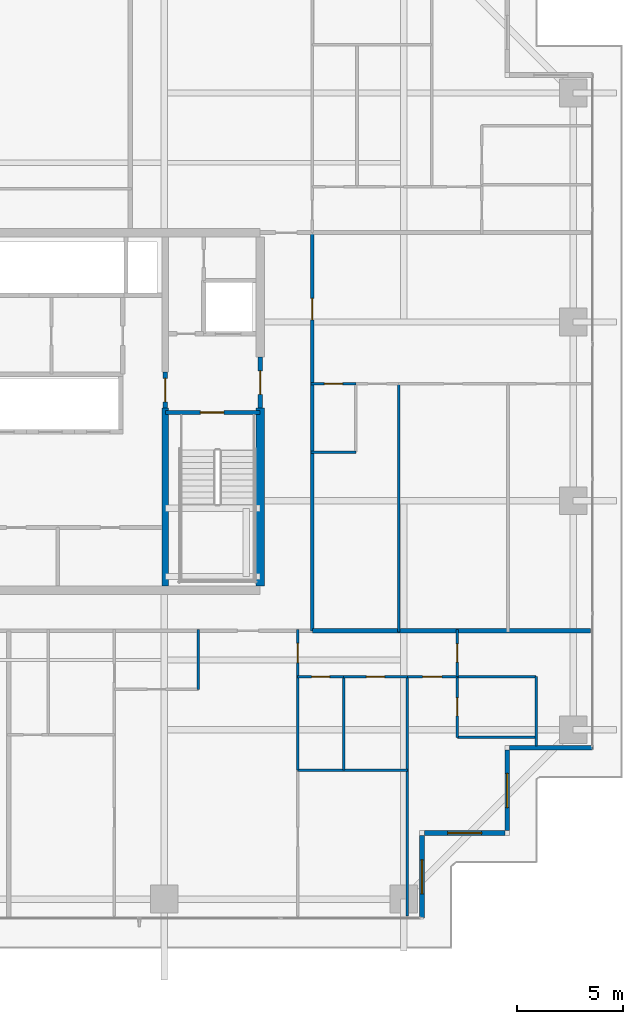
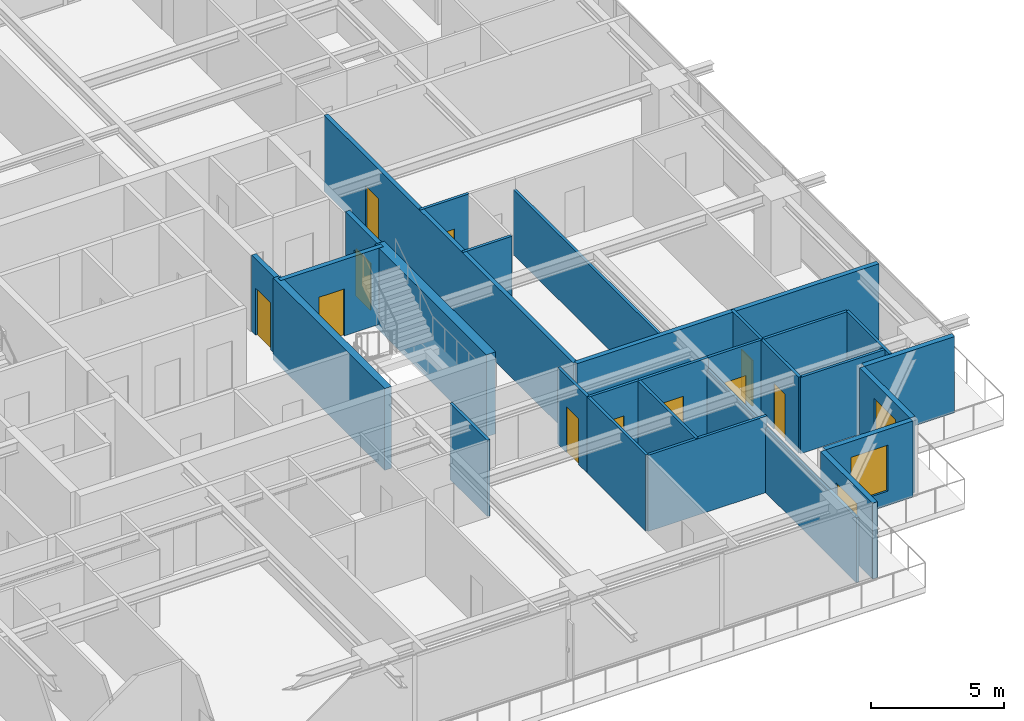
# One storey, part 29 of 39: 28 walls, 11 doors, 3 windows, 14 openings.
"""IFC4 building model written with IfcOpenShell, lengths in metres."""

from ifc_helpers import new_model, si_unit, direction, frame, frame_2d, origin, place, context, subcontext, project, spatial, rectangle, extrude, source, transform, mapped, material, layer, layer_set, type_object, element, fill, save


model = new_model("IFC4")

# Units and contexts
model_context = context("Model", 3, precision=1e-05, world=origin(), true_north=direction((0.0, 1.0)))
body_context = subcontext(model_context, "Body", "Model", "MODEL_VIEW")
ifc_project = project(units=[si_unit("LENGTHUNIT", "METRE"), si_unit("AREAUNIT", "SQUARE_METRE"), si_unit("VOLUMEUNIT", "CUBIC_METRE"), si_unit("PLANEANGLEUNIT", "RADIAN"), si_unit("MASSUNIT", "GRAM", prefix="KILO")], contexts=[model_context])

# Site, building, storey
site_placement = place(None, origin())
site = spatial("IfcSite", under=ifc_project, at=site_placement, CompositionType="ELEMENT")
building_placement = place(site_placement, origin())
building = spatial("IfcBuilding", under=site, at=building_placement, Name="Serunith Strait Residences", CompositionType="ELEMENT")
storey_placement = place(building_placement, frame((0.0, 0.0, 168.89990234375)))
storey = spatial("IfcBuildingStorey", under=building, at=storey_placement, Name="L42", CompositionType="ELEMENT", Elevation=168.89990234375)

# Wall, opening, window
ifc_material_1 = material(Name="Pale-Champagne Aluminium Insulated Panel", Category="aluminium")
ifc_layer_1 = layer(ifc_material_1, 0.219970703125, Name="Pale-Champagne Aluminium Insulated Panel")
ifc_layer_set_1 = layer_set([ifc_layer_1], Name="Pale-Champagne Aluminium Insulated Panel")
wall_type_1 = type_object("IfcWallType", Name="EW-ALUM-220", PredefinedType="ELEMENTEDWALL", material=ifc_layer_set_1)
wall_1_placement = place(storey_placement, frame((49.0, 1.39990234375, 0.0), z_axis=(0.0, 0.0, 1.0), x_axis=(0.0, 1.0, 0.0)))
wall_1 = element("IfcWall", 1, at=wall_1_placement, inside=storey, type_object=wall_type_1, Name="L42 Girih Serrated Corner Wall 02", PredefinedType="ELEMENTEDWALL", context=body_context, shape_type="SweptSolid", body=[
    extrude(rectangle(XDim=3.89013671875, YDim=0.219970703125, at=frame_2d((1.945068359375, 0.0))), origin(), (0.0, 0.0, 1.0), 3.47509765625),
])
opening_1_placement = place(wall_1_placement, frame((1.14501953125, 0.0, 0.64990234375)))
opening_1 = element("IfcOpeningElement", 2, at=opening_1_placement, cuts=wall_1, Name="Opening W-02", PredefinedType="OPENING", context=body_context, shape_type="SweptSolid", body=[
    extrude(rectangle(XDim=1.60009765625, YDim=2.10009765625, at=frame_2d((0.800048828125, 1.050048828125))), frame((0.0, 0.1201171875, 0.0), z_axis=(0.0, -1.0, 0.0), x_axis=(1.0, 0.0, 0.0)), (0.0, 0.0, 1.0), 0.239990234375),
])
ifc_material_2 = material(Name="Ceramic-Fritted Operable Aluminium Window Glass", Category="aluminium")
window_type = type_object("IfcWindowType", Name="WIN-C2", PartitioningType="DOUBLE_PANEL_VERTICAL", PredefinedType="WINDOW", material=ifc_material_2)
shared_shape_1 = source(origin(), body_context, "Body", "SweptSolid", [
    extrude(rectangle(XDim=1.60009765625, YDim=2.10009765625, at=frame_2d((0.800048828125, 1.050048828125))), frame((0.0, 0.030029296875, 0.0), z_axis=(0.0, -1.0, 0.0), x_axis=(1.0, 0.0, 0.0)), (0.0, 0.0, 1.0), 0.06005859375),
])
window_1_placement = place(opening_1_placement, origin())
window_1 = element("IfcWindow", 3, at=window_1_placement, inside=storey, type_object=window_type, Name="L42 Corner Operable Fritted Window 02", OverallHeight=2.10009765625, OverallWidth=1.60009765625, PartitioningType="SINGLE_PANEL", PredefinedType="WINDOW", context=body_context, shape_type="MappedRepresentation", body=[
    mapped(shared_shape_1, transform((0.0, 0.0, 0.0), scale=1.0)),
])
fill(opening_1, window_1)

wall_2_placement = place(storey_placement, frame((49.110107421875, 5.39990234375, 0.0), z_axis=(0.0, 0.0, 1.0), x_axis=(1.0, 0.0, 0.0)))
wall_2 = element("IfcWall", 4, at=wall_2_placement, inside=storey, type_object=wall_type_1, Name="L42 Girih Serrated Corner Wall 03", PredefinedType="ELEMENTEDWALL", context=body_context, shape_type="SweptSolid", body=[
    extrude(rectangle(XDim=3.77978515625, YDim=0.219970703125, at=frame_2d((1.889892578125, 0.0))), origin(), (0.0, 0.0, 1.0), 3.47509765625),
])
opening_2_placement = place(wall_2_placement, frame((1.090087890625, 0.0, 0.64990234375)))
opening_2 = element("IfcOpeningElement", 5, at=opening_2_placement, cuts=wall_2, Name="Opening W-02", PredefinedType="OPENING", context=body_context, shape_type="SweptSolid", body=[
    extrude(rectangle(XDim=1.60009765625, YDim=2.10009765625, at=frame_2d((0.800048828125, 1.050048828125))), frame((0.0, 0.1201171875, 0.0), z_axis=(0.0, -1.0, 0.0), x_axis=(1.0, 0.0, 0.0)), (0.0, 0.0, 1.0), 0.239990234375),
])
window_2_placement = place(opening_2_placement, origin())
window_2 = element("IfcWindow", 6, at=window_2_placement, inside=storey, type_object=window_type, Name="L42 Corner Operable Fritted Window 03", OverallHeight=2.10009765625, OverallWidth=1.60009765625, PartitioningType="SINGLE_PANEL", PredefinedType="WINDOW", context=body_context, shape_type="MappedRepresentation", body=[
    mapped(shared_shape_1, transform((0.0, 0.0, 0.0), scale=1.0)),
])
fill(opening_2, window_2)

wall_3_placement = place(storey_placement, frame((53.0, 5.510009765625, 0.0), z_axis=(0.0, 0.0, 1.0), x_axis=(0.0, 1.0, 0.0)))
wall_3 = element("IfcWall", 7, at=wall_3_placement, inside=storey, type_object=wall_type_1, Name="L42 Girih Serrated Corner Wall 04", PredefinedType="ELEMENTEDWALL", context=body_context, shape_type="SweptSolid", body=[
    extrude(rectangle(XDim=3.780029296875, YDim=0.219970703125, at=frame_2d((1.89013671875, 0.0))), origin(), (0.0, 0.0, 1.0), 3.47509765625),
])
opening_3_placement = place(wall_3_placement, frame((1.090087890625, 0.0, 0.64990234375)))
opening_3 = element("IfcOpeningElement", 8, at=opening_3_placement, cuts=wall_3, Name="Opening W-02", PredefinedType="OPENING", context=body_context, shape_type="SweptSolid", body=[
    extrude(rectangle(XDim=1.60009765625, YDim=2.10009765625, at=frame_2d((0.800048828125, 1.050048828125))), frame((0.0, 0.1201171875, 0.0), z_axis=(0.0, -1.0, 0.0), x_axis=(1.0, 0.0, 0.0)), (0.0, 0.0, 1.0), 0.239990234375),
])
window_3_placement = place(opening_3_placement, origin())
window_3 = element("IfcWindow", 9, at=window_3_placement, inside=storey, type_object=window_type, Name="L42 Corner Operable Fritted Window 04", OverallHeight=2.10009765625, OverallWidth=1.60009765625, PartitioningType="SINGLE_PANEL", PredefinedType="WINDOW", context=body_context, shape_type="MappedRepresentation", body=[
    mapped(shared_shape_1, transform((0.0, 0.0, 0.0), scale=1.0)),
])
fill(opening_3, window_3)

# Wall
wall_4_placement = place(storey_placement, frame((53.110107421875, 9.39990234375, 0.0), z_axis=(0.0, 0.0, 1.0), x_axis=(1.0, 0.0, 0.0)))
element("IfcWall", 10, at=wall_4_placement, inside=storey, type_object=wall_type_1, Name="L42 Girih Serrated Corner Wall 05", PredefinedType="ELEMENTEDWALL", context=body_context, shape_type="SweptSolid", body=[
    extrude(rectangle(XDim=3.889892578125, YDim=0.219970703125, at=frame_2d((1.94482421875, 0.0))), origin(), (0.0, 0.0, 1.0), 3.47509765625),
])

# Wall, opening, door
ifc_material_3 = material(Name="Fire-rated acoustic gypsum partition")
ifc_layer_2 = layer(ifc_material_3, 0.179931640625, Name="Fire-rated acoustic gypsum partition")
ifc_layer_set_2 = layer_set([ifc_layer_2], Name="Fire-rated acoustic gypsum partition")
wall_type_2 = type_object("IfcWallType", Name="IW-CORR-180", PredefinedType="PARTITIONING", material=ifc_layer_set_2)
wall_5_placement = place(storey_placement, frame((43.85009765625, 14.89990234375, 0.0), z_axis=(0.0, 0.0, 1.0), x_axis=(0.0, 1.0, 0.0)))
wall_5 = element("IfcWall", 11, at=wall_5_placement, inside=storey, type_object=wall_type_2, Name="L42 Partition Wall 026", PredefinedType="PARTITIONING", context=body_context, shape_type="SweptSolid", body=[
    extrude(rectangle(XDim=18.7001953125, YDim=0.179931640625, at=frame_2d((9.35009765625, 0.0))), origin(), (0.0, 0.0, 1.0), 3.489990234375),
])
opening_4_placement = place(wall_5_placement, frame((14.60302734375, 0.0, 0.0)))
opening_4 = element("IfcOpeningElement", 12, at=opening_4_placement, cuts=wall_5, Name="Opening D-APT1000", PredefinedType="OPENING", context=body_context, shape_type="SweptSolid", body=[
    extrude(rectangle(XDim=1.0, YDim=2.14990234375, at=frame_2d((0.5, 1.074951171875))), frame((0.0, 0.10009765625, 0.0), z_axis=(0.0, -1.0, 0.0), x_axis=(1.0, 0.0, 0.0)), (0.0, 0.0, 1.0), 0.199951171875),
])
ifc_material_4 = material(Name="Solid timber engineered fire door", Category="wood")
door_type_1 = type_object("IfcDoorType", Name="ID-APT-1000", OperationType="NOTDEFINED", PredefinedType="DOOR", material=ifc_material_4)
shared_shape_2 = source(origin(), body_context, "Body", "SweptSolid", [
    extrude(rectangle(XDim=1.0, YDim=2.14990234375, at=frame_2d((0.5, 1.074951171875))), frame((0.0, 0.02490234375, 0.0), z_axis=(0.0, -1.0, 0.0), x_axis=(1.0, 0.0, 0.0)), (0.0, 0.0, 1.0), 0.050048828125),
])
door_1_placement = place(opening_4_placement, origin())
door_1 = element("IfcDoor", 13, at=door_1_placement, inside=storey, type_object=door_type_1, Name="L42 Unit 06 Entrance Door", OperationType="SINGLE_SWING_LEFT", OverallHeight=2.14990234375, OverallWidth=1.0, PredefinedType="DOOR", context=body_context, shape_type="MappedRepresentation", body=[
    mapped(shared_shape_2, transform((0.0, 0.0, 0.0), scale=1.0)),
])
fill(opening_4, door_1)

# Wall
ifc_material_5 = material(Name="Lightweight steel-stud gypsum partition", Category="steel")
ifc_layer_3 = layer(ifc_material_5, 0.1201171875, Name="Lightweight steel-stud gypsum partition")
ifc_layer_set_3 = layer_set([ifc_layer_3], Name="Lightweight steel-stud gypsum partition")
wall_type_3 = type_object("IfcWallType", Name="IW-PART-120", PredefinedType="PARTITIONING", material=ifc_layer_set_3)
wall_6_placement = place(storey_placement, frame((38.5, 12.14990234375, 0.0), z_axis=(0.0, 0.0, 1.0), x_axis=(0.0, 1.0, 0.0)))
element("IfcWall", 14, at=wall_6_placement, inside=storey, type_object=wall_type_3, Name="L42 Partition Wall 046", PredefinedType="PARTITIONING", context=body_context, shape_type="SweptSolid", body=[
    extrude(rectangle(XDim=2.81005859375, YDim=0.1201171875, at=frame_2d((1.405029296875, 0.0))), origin(), (0.0, 0.0, 1.0), 3.489990234375),
])

# Wall, opening, door
wall_7_placement = place(storey_placement, frame((43.159912109375, 12.75, 0.0), z_axis=(0.0, 0.0, 1.0), x_axis=(0.0, 1.0, 0.0)))
wall_7 = element("IfcWall", 15, at=wall_7_placement, inside=storey, type_object=wall_type_3, Name="L42 Partition Wall 052", PredefinedType="PARTITIONING", context=body_context, shape_type="SweptSolid", body=[
    extrude(rectangle(XDim=2.2099609375, YDim=0.1201171875, at=frame_2d((1.10498046875, 0.0))), origin(), (0.0, 0.0, 1.0), 3.489990234375),
])
opening_5_placement = place(wall_7_placement, frame((0.655029296875, 0.0, 0.0)))
opening_5 = element("IfcOpeningElement", 16, at=opening_5_placement, cuts=wall_7, Name="Opening D-RM900", PredefinedType="OPENING", context=body_context, shape_type="SweptSolid", body=[
    extrude(rectangle(XDim=0.89990234375, YDim=2.10009765625, at=frame_2d((0.449951171875, 1.050048828125))), frame((0.0, 0.070068359375, 0.0), z_axis=(0.0, -1.0, 0.0), x_axis=(1.0, 0.0, 0.0)), (0.0, 0.0, 1.0), 0.14013671875),
])
ifc_material_6 = material(Name="Engineered timber flush bedroom door", Category="wood")
door_type_2 = type_object("IfcDoorType", Name="ID-ROOM-900", OperationType="NOTDEFINED", PredefinedType="DOOR", material=ifc_material_6)
shared_shape_3 = source(origin(), body_context, "Body", "SweptSolid", [
    extrude(rectangle(XDim=0.89990234375, YDim=2.10009765625, at=frame_2d((0.449951171875, 1.050048828125))), frame((0.0, 0.02490234375, 0.0), z_axis=(0.0, -1.0, 0.0), x_axis=(1.0, 0.0, 0.0)), (0.0, 0.0, 1.0), 0.050048828125),
])
door_2_placement = place(opening_5_placement, origin())
door_2 = element("IfcDoor", 17, at=door_2_placement, inside=storey, type_object=door_type_2, Name="L42 Hall E 4202 Door", OperationType="SINGLE_SWING_RIGHT", OverallHeight=2.10009765625, OverallWidth=0.89990234375, PredefinedType="DOOR", context=body_context, shape_type="MappedRepresentation", body=[
    mapped(shared_shape_3, transform((0.0, 0.0, 0.0), scale=1.0)),
])
fill(opening_5, door_2)

# Walls
wall_8_placement = place(storey_placement, frame((43.159912109375, 8.35498046875, 0.0), z_axis=(0.0, 0.0, 1.0), x_axis=(0.0, 1.0, 0.0)))
element("IfcWall", 18, at=wall_8_placement, inside=storey, type_object=wall_type_3, Name="L42 Partition Wall 054", PredefinedType="PARTITIONING", context=body_context, shape_type="SweptSolid", body=[
    extrude(rectangle(XDim=4.39306640625, YDim=0.1201171875, at=frame_2d((2.196533203125, 0.0))), origin(), (0.0, 0.0, 1.0), 3.489990234375),
])
wall_9_placement = place(storey_placement, frame((43.159912109375, 8.35302734375, 0.0), z_axis=(0.0, 0.0, 1.0), x_axis=(1.0, 0.0, 0.0)))
element("IfcWall", 19, at=wall_9_placement, inside=storey, type_object=wall_type_3, Name="L42 Partition Wall 055", PredefinedType="PARTITIONING", context=body_context, shape_type="SweptSolid", body=[
    extrude(rectangle(XDim=5.150146484375, YDim=0.1201171875, at=frame_2d((2.5751953125, 0.0))), origin(), (0.0, 0.0, 1.0), 3.489990234375),
])
wall_10_placement = place(storey_placement, frame((48.31005859375, 1.4951171875, 0.0), z_axis=(0.0, 0.0, 1.0), x_axis=(0.0, 1.0, 0.0)))
element("IfcWall", 20, at=wall_10_placement, inside=storey, type_object=wall_type_3, Name="L42 Partition Wall 056", PredefinedType="PARTITIONING", context=body_context, shape_type="SweptSolid", body=[
    extrude(rectangle(XDim=11.2548828125, YDim=0.1201171875, at=frame_2d((5.62744140625, 0.0))), origin(), (0.0, 0.0, 1.0), 2.97216796875),
])
wall_11_placement = place(storey_placement, frame((45.322998046875, 8.35302734375, 0.0), z_axis=(0.0, 0.0, 1.0), x_axis=(0.0, 1.0, 0.0)))
element("IfcWall", 21, at=wall_11_placement, inside=storey, type_object=wall_type_3, Name="L42 Partition Wall 057", PredefinedType="PARTITIONING", context=body_context, shape_type="SweptSolid", body=[
    extrude(rectangle(XDim=4.39697265625, YDim=0.1201171875, at=frame_2d((2.198486328125, 0.0))), origin(), (0.0, 0.0, 1.0), 3.489990234375),
])

# Wall, opening, door
wall_12_placement = place(storey_placement, frame((43.159912109375, 12.75, 0.0), z_axis=(0.0, 0.0, 1.0), x_axis=(1.0, 0.0, 0.0)))
wall_12 = element("IfcWall", 22, at=wall_12_placement, inside=storey, type_object=wall_type_3, Name="L42 Partition Wall 058", PredefinedType="PARTITIONING", context=body_context, shape_type="SweptSolid", body=[
    extrude(rectangle(XDim=2.1630859375, YDim=0.1201171875, at=frame_2d((1.08154296875, 0.0))), origin(), (0.0, 0.0, 1.0), 3.489990234375),
])
opening_6_placement = place(wall_12_placement, frame((0.656982421875, 0.0, 0.0)))
opening_6 = element("IfcOpeningElement", 23, at=opening_6_placement, cuts=wall_12, Name="Opening D-RM850", PredefinedType="OPENING", context=body_context, shape_type="SweptSolid", body=[
    extrude(rectangle(XDim=0.85009765625, YDim=2.10009765625, at=frame_2d((0.425048828125, 1.050048828125))), frame((0.0, 0.070068359375, 0.0), z_axis=(0.0, -1.0, 0.0), x_axis=(1.0, 0.0, 0.0)), (0.0, 0.0, 1.0), 0.14013671875),
])
ifc_material_7 = material(Name="Engineered timber flush study and kitchen door", Category="wood")
door_type_3 = type_object("IfcDoorType", Name="ID-ROOM-850", OperationType="NOTDEFINED", PredefinedType="DOOR", material=ifc_material_7)
shared_shape_4 = source(origin(), body_context, "Body", "SweptSolid", [
    extrude(rectangle(XDim=0.85009765625, YDim=2.10009765625, at=frame_2d((0.425048828125, 1.050048828125))), frame((0.0, 0.02490234375, 0.0), z_axis=(0.0, -1.0, 0.0), x_axis=(1.0, 0.0, 0.0)), (0.0, 0.0, 1.0), 0.050048828125),
])
door_3_placement = place(opening_6_placement, origin())
door_3 = element("IfcDoor", 24, at=door_3_placement, inside=storey, type_object=door_type_3, Name="L42 Study 4202 Door", OperationType="SINGLE_SWING_RIGHT", OverallHeight=2.10009765625, OverallWidth=0.85009765625, PredefinedType="DOOR", context=body_context, shape_type="MappedRepresentation", body=[
    mapped(shared_shape_4, transform((0.0, 0.0, 0.0), scale=1.0)),
])
fill(opening_6, door_3)

wall_13_placement = place(storey_placement, frame((45.324951171875, 12.75, 0.0), z_axis=(0.0, 0.0, 1.0), x_axis=(1.0, 0.0, 0.0)))
wall_13 = element("IfcWall", 25, at=wall_13_placement, inside=storey, type_object=wall_type_3, Name="L42 Partition Wall 059", PredefinedType="PARTITIONING", context=body_context, shape_type="SweptSolid", body=[
    extrude(rectangle(XDim=2.985107421875, YDim=0.1201171875, at=frame_2d((1.49267578125, 0.0))), origin(), (0.0, 0.0, 1.0), 3.489990234375),
])
opening_7_placement = place(wall_13_placement, frame((1.06689453125, 0.0, 0.0)))
opening_7 = element("IfcOpeningElement", 26, at=opening_7_placement, cuts=wall_13, Name="Opening D-RM850", PredefinedType="OPENING", context=body_context, shape_type="SweptSolid", body=[
    extrude(rectangle(XDim=0.85009765625, YDim=2.10009765625, at=frame_2d((0.425048828125, 1.050048828125))), frame((0.0, 0.070068359375, 0.0), z_axis=(0.0, -1.0, 0.0), x_axis=(1.0, 0.0, 0.0)), (0.0, 0.0, 1.0), 0.14013671875),
])
door_4_placement = place(opening_7_placement, origin())
door_4 = element("IfcDoor", 27, at=door_4_placement, inside=storey, type_object=door_type_3, Name="L42 Formal Dining Room 4202 Door", OperationType="SINGLE_SWING_LEFT", OverallHeight=2.10009765625, OverallWidth=0.85009765625, PredefinedType="DOOR", context=body_context, shape_type="MappedRepresentation", body=[
    mapped(shared_shape_4, transform((0.0, 0.0, 0.0), scale=1.0)),
])
fill(opening_7, door_4)

wall_14_placement = place(storey_placement, frame((48.31201171875, 12.75, 0.0), z_axis=(0.0, 0.0, 1.0), x_axis=(1.0, 0.0, 0.0)))
wall_14 = element("IfcWall", 28, at=wall_14_placement, inside=storey, type_object=wall_type_3, Name="L42 Partition Wall 060", PredefinedType="PARTITIONING", context=body_context, shape_type="SweptSolid", body=[
    extrude(rectangle(XDim=2.347900390625, YDim=0.1201171875, at=frame_2d((1.173828125, 0.0))), origin(), (0.0, 0.0, 1.0), 3.489990234375),
])
opening_8_placement = place(wall_14_placement, frame((0.72412109375, 0.0, 0.0)))
opening_8 = element("IfcOpeningElement", 29, at=opening_8_placement, cuts=wall_14, Name="Opening D-RM900", PredefinedType="OPENING", context=body_context, shape_type="SweptSolid", body=[
    extrude(rectangle(XDim=0.89990234375, YDim=2.10009765625, at=frame_2d((0.449951171875, 1.050048828125))), frame((0.0, 0.070068359375, 0.0), z_axis=(0.0, -1.0, 0.0), x_axis=(1.0, 0.0, 0.0)), (0.0, 0.0, 1.0), 0.14013671875),
])
door_5_placement = place(opening_8_placement, origin())
door_5 = element("IfcDoor", 30, at=door_5_placement, inside=storey, type_object=door_type_2, Name="L42 Master Bedroom E 4202 Door", OperationType="SINGLE_SWING_RIGHT", OverallHeight=2.10009765625, OverallWidth=0.89990234375, PredefinedType="DOOR", context=body_context, shape_type="MappedRepresentation", body=[
    mapped(shared_shape_3, transform((0.0, 0.0, 0.0), scale=1.0)),
])
fill(opening_8, door_5)

# Walls
wall_15_placement = place(storey_placement, frame((50.659912109375, 9.89501953125, 0.0), z_axis=(0.0, 0.0, 1.0), x_axis=(1.0, 0.0, 0.0)))
element("IfcWall", 31, at=wall_15_placement, inside=storey, type_object=wall_type_3, Name="L42 Partition Wall 061", PredefinedType="PARTITIONING", context=body_context, shape_type="SweptSolid", body=[
    extrude(rectangle(XDim=3.7001953125, YDim=0.1201171875, at=frame_2d((1.85009765625, 0.0))), origin(), (0.0, 0.0, 1.0), 3.489990234375),
])
wall_16_placement = place(storey_placement, frame((54.360107421875, 9.4951171875, 0.0), z_axis=(0.0, 0.0, 1.0), x_axis=(0.0, 1.0, 0.0)))
element("IfcWall", 32, at=wall_16_placement, inside=storey, type_object=wall_type_3, Name="L42 Partition Wall 062", PredefinedType="PARTITIONING", context=body_context, shape_type="SweptSolid", body=[
    extrude(rectangle(XDim=3.2548828125, YDim=0.1201171875, at=frame_2d((1.62744140625, 0.0))), origin(), (0.0, 0.0, 1.0), 3.489990234375),
])
wall_17_placement = place(storey_placement, frame((50.662109375, 12.75, 0.0), z_axis=(0.0, 0.0, 1.0), x_axis=(1.0, 0.0, 0.0)))
element("IfcWall", 33, at=wall_17_placement, inside=storey, type_object=wall_type_3, Name="L42 Partition Wall 063", PredefinedType="PARTITIONING", context=body_context, shape_type="SweptSolid", body=[
    extrude(rectangle(XDim=3.697998046875, YDim=0.1201171875, at=frame_2d((1.84912109375, 0.0))), origin(), (0.0, 0.0, 1.0), 3.489990234375),
])

# Wall, opening, door
wall_18_placement = place(storey_placement, frame((50.659912109375, 9.89501953125, 0.0), z_axis=(0.0, 0.0, 1.0), x_axis=(0.0, 1.0, 0.0)))
wall_18 = element("IfcWall", 34, at=wall_18_placement, inside=storey, type_object=wall_type_3, Name="L42 Partition Wall 064", PredefinedType="PARTITIONING", context=body_context, shape_type="SweptSolid", body=[
    extrude(rectangle(XDim=2.85498046875, YDim=0.1201171875, at=frame_2d((1.427490234375, 0.0))), origin(), (0.0, 0.0, 1.0), 3.489990234375),
])
opening_9_placement = place(wall_18_placement, frame((1.0029296875, 0.0, 0.0)))
opening_9 = element("IfcOpeningElement", 35, at=opening_9_placement, cuts=wall_18, Name="Opening D-BTH850", PredefinedType="OPENING", context=body_context, shape_type="SweptSolid", body=[
    extrude(rectangle(XDim=0.85009765625, YDim=2.10009765625, at=frame_2d((0.425048828125, 1.050048828125))), frame((0.0, 0.070068359375, 0.0), z_axis=(0.0, -1.0, 0.0), x_axis=(1.0, 0.0, 0.0)), (0.0, 0.0, 1.0), 0.14013671875),
])
ifc_material_8 = material(Name="Moisture-resistant timber bathroom door", Category="wood")
door_type_4 = type_object("IfcDoorType", Name="ID-BATH-850", OperationType="NOTDEFINED", PredefinedType="DOOR", material=ifc_material_8)
door_6_placement = place(opening_9_placement, origin())
door_6 = element("IfcDoor", 36, at=door_6_placement, inside=storey, type_object=door_type_4, Name="L42 En-suite Bathroom E 4202 Door", OperationType="SINGLE_SWING_LEFT", OverallHeight=2.10009765625, OverallWidth=0.85009765625, PredefinedType="DOOR", context=body_context, shape_type="MappedRepresentation", body=[
    mapped(shared_shape_4, transform((0.0, 0.0, 0.0), scale=1.0)),
])
fill(opening_9, door_6)

wall_19_placement = place(storey_placement, frame((50.659912109375, 12.751953125, 0.0), z_axis=(0.0, 0.0, 1.0), x_axis=(0.0, 1.0, 0.0)))
wall_19 = element("IfcWall", 37, at=wall_19_placement, inside=storey, type_object=wall_type_3, Name="L42 Partition Wall 065", PredefinedType="PARTITIONING", context=body_context, shape_type="SweptSolid", body=[
    extrude(rectangle(XDim=2.2080078125, YDim=0.1201171875, at=frame_2d((1.10400390625, 0.0))), origin(), (0.0, 0.0, 1.0), 3.489990234375),
])
opening_10_placement = place(wall_19_placement, frame((0.678955078125, 0.0, 0.0)))
opening_10 = element("IfcOpeningElement", 38, at=opening_10_placement, cuts=wall_19, Name="Opening D-RM850", PredefinedType="OPENING", context=body_context, shape_type="SweptSolid", body=[
    extrude(rectangle(XDim=0.85009765625, YDim=2.10009765625, at=frame_2d((0.425048828125, 1.050048828125))), frame((0.0, 0.070068359375, 0.0), z_axis=(0.0, -1.0, 0.0), x_axis=(1.0, 0.0, 0.0)), (0.0, 0.0, 1.0), 0.14013671875),
])
door_7_placement = place(opening_10_placement, origin())
door_7 = element("IfcDoor", 39, at=door_7_placement, inside=storey, type_object=door_type_3, Name="L42 Wardrobe E 4202 Door", OperationType="SINGLE_SWING_RIGHT", OverallHeight=2.10009765625, OverallWidth=0.85009765625, PredefinedType="DOOR", context=body_context, shape_type="MappedRepresentation", body=[
    mapped(shared_shape_4, transform((0.0, 0.0, 0.0), scale=1.0)),
])
fill(opening_10, door_7)

# Walls
wall_20_placement = place(storey_placement, frame((47.89990234375, 14.840087890625, 0.0), z_axis=(0.0, 0.0, 1.0), x_axis=(0.0, 1.0, 0.0)))
element("IfcWall", 40, at=wall_20_placement, inside=storey, type_object=wall_type_3, Name="L42 Partition Wall 102", PredefinedType="PARTITIONING", context=body_context, shape_type="SweptSolid", body=[
    extrude(rectangle(XDim=11.64990234375, YDim=0.1201171875, at=frame_2d((5.824951171875, 0.0))), origin(), (0.0, 0.0, 1.0), 2.97216796875),
])
wall_21_placement = place(storey_placement, frame((45.89990234375, 23.2900390625, 0.0), z_axis=(0.0, 0.0, 1.0), x_axis=(-1.0, 0.0, 0.0)))
element("IfcWall", 41, at=wall_21_placement, inside=storey, type_object=wall_type_3, Name="L42 Partition Wall 104", PredefinedType="PARTITIONING", context=body_context, shape_type="SweptSolid", body=[
    extrude(rectangle(XDim=2.10986328125, YDim=0.1201171875, at=frame_2d((1.054931640625, 0.0))), origin(), (0.0, 0.0, 1.0), 3.489990234375),
])

# Wall, opening, door
wall_22_placement = place(storey_placement, frame((45.89794921875, 26.489990234375, 0.0), z_axis=(0.0, 0.0, 1.0), x_axis=(-1.0, 0.0, 0.0)))
wall_22 = element("IfcWall", 42, at=wall_22_placement, inside=storey, type_object=wall_type_3, Name="L42 Partition Wall 107", PredefinedType="PARTITIONING", context=body_context, shape_type="SweptSolid", body=[
    extrude(rectangle(XDim=2.10791015625, YDim=0.1201171875, at=frame_2d((1.053955078125, 0.0))), origin(), (0.0, 0.0, 1.0), 3.489990234375),
])
opening_11_placement = place(wall_22_placement, frame((0.62890625, 0.0, 0.0)))
opening_11 = element("IfcOpeningElement", 43, at=opening_11_placement, cuts=wall_22, Name="Opening D-BTH850", PredefinedType="OPENING", context=body_context, shape_type="SweptSolid", body=[
    extrude(rectangle(XDim=0.85009765625, YDim=2.10009765625, at=frame_2d((0.425048828125, 1.050048828125))), frame((0.0, 0.070068359375, 0.0), z_axis=(0.0, -1.0, 0.0), x_axis=(1.0, 0.0, 0.0)), (0.0, 0.0, 1.0), 0.14013671875),
])
door_8_placement = place(opening_11_placement, origin())
door_8 = element("IfcDoor", 44, at=door_8_placement, inside=storey, type_object=door_type_4, Name="L42 Bathroom 4206 Door", OperationType="SINGLE_SWING_RIGHT", OverallHeight=2.10009765625, OverallWidth=0.85009765625, PredefinedType="DOOR", context=body_context, shape_type="MappedRepresentation", body=[
    mapped(shared_shape_4, transform((0.0, 0.0, 0.0), scale=1.0)),
])
fill(opening_11, door_8)

# Wall
ifc_material_9 = material(Name="Twin-stud acoustic gypsum board partition")
ifc_layer_4 = layer(ifc_material_9, 0.199951171875, Name="Twin-stud acoustic gypsum board partition")
ifc_layer_set_4 = layer_set([ifc_layer_4], Name="Twin-stud acoustic gypsum board partition")
wall_type_4 = type_object("IfcWallType", Name="IW-PARTY-200", PredefinedType="PARTITIONING", material=ifc_layer_set_4)
wall_23_placement = place(storey_placement, frame((43.85009765625, 14.89990234375, 0.0), z_axis=(0.0, 0.0, 1.0), x_axis=(1.0, 0.0, 0.0)))
element("IfcWall", 45, at=wall_23_placement, inside=storey, type_object=wall_type_4, Name="L42 Partition Wall 021", PredefinedType="PARTITIONING", context=body_context, shape_type="SweptSolid", body=[
    extrude(rectangle(XDim=13.06787109375, YDim=0.199951171875, at=frame_2d((6.533935546875, 0.0))), origin(), (0.0, 0.0, 1.0), 3.489990234375),
])

# Wall, opening, door
ifc_material_10 = material(Name="Autoclaved aerated concrete blockwork", Category="masonry")
ifc_layer_5 = layer(ifc_material_10, 0.199951171875, Name="Autoclaved aerated concrete blockwork")
ifc_layer_set_5 = layer_set([ifc_layer_5], Name="Autoclaved aerated concrete blockwork")
wall_type_5 = type_object("IfcWallType", Name="IW-SHAFT-200", PredefinedType="STANDARD", material=ifc_layer_set_5)
wall_24_placement = place(storey_placement, frame((36.949951171875, 25.14990234375, 0.0), z_axis=(0.0, 0.0, 1.0), x_axis=(1.0, 0.0, 0.0)))
wall_24 = element("IfcWall", 46, at=wall_24_placement, inside=storey, type_object=wall_type_5, Name="L42 ST-2 North Shaft Wall", PredefinedType="STANDARD", context=body_context, shape_type="SweptSolid", body=[
    extrude(rectangle(XDim=4.449951171875, YDim=0.199951171875, at=frame_2d((2.22509765625, 0.0))), origin(), (0.0, 0.0, 1.0), 3.489990234375),
])
opening_12_placement = place(wall_24_placement, frame((1.64990234375, 0.0, 0.0)))
opening_12 = element("IfcOpeningElement", 47, at=opening_12_placement, cuts=wall_24, Name="Opening FD-1100", PredefinedType="OPENING", context=body_context, shape_type="SweptSolid", body=[
    extrude(rectangle(XDim=1.10009765625, YDim=2.14990234375, at=frame_2d((0.550048828125, 1.074951171875))), frame((0.0, 0.10986328125, 0.0), z_axis=(0.0, -1.0, 0.0), x_axis=(1.0, 0.0, 0.0)), (0.0, 0.0, 1.0), 0.219970703125),
])
ifc_material_11 = material(Name="Galvanised steel fire door leaf", Category="steel")
door_type_5 = type_object("IfcDoorType", Name="FD-STAIR-1100", OperationType="NOTDEFINED", PredefinedType="DOOR", material=ifc_material_11)
shared_shape_5 = source(origin(), body_context, "Body", "SweptSolid", [
    extrude(rectangle(XDim=1.10009765625, YDim=2.14990234375, at=frame_2d((0.550048828125, 1.074951171875))), frame((0.0, 0.02490234375, 0.0), z_axis=(0.0, -1.0, 0.0), x_axis=(1.0, 0.0, 0.0)), (0.0, 0.0, 1.0), 0.050048828125),
])
door_9_placement = place(opening_12_placement, origin())
door_9 = element("IfcDoor", 48, at=door_9_placement, inside=storey, type_object=door_type_5, Name="L42 ST-2 Escape Stair Door", OperationType="SINGLE_SWING_LEFT", OverallHeight=2.14990234375, OverallWidth=1.10009765625, PredefinedType="DOOR", context=body_context, shape_type="MappedRepresentation", body=[
    mapped(shared_shape_5, transform((0.0, 0.0, 0.0), scale=1.0)),
])
fill(opening_12, door_9)

wall_25_placement = place(storey_placement, frame((41.39990234375, 25.35205078125, 0.0), z_axis=(0.0, 0.0, 1.0), x_axis=(0.0, 1.0, 0.0)))
wall_25 = element("IfcWall", 49, at=wall_25_placement, inside=storey, type_object=wall_type_5, Name="L42 Partition Wall 008", PredefinedType="STANDARD", context=body_context, shape_type="SweptSolid", body=[
    extrude(rectangle(XDim=2.39599609375, YDim=0.199951171875, at=frame_2d((1.197998046875, 0.0))), origin(), (0.0, 0.0, 1.0), 3.489990234375),
])
opening_13_placement = place(wall_25_placement, frame((0.64794921875, 0.0, 0.0)))
opening_13 = element("IfcOpeningElement", 50, at=opening_13_placement, cuts=wall_25, Name="Opening FD-FFL", PredefinedType="OPENING", context=body_context, shape_type="SweptSolid", body=[
    extrude(rectangle(XDim=1.10009765625, YDim=2.14990234375, at=frame_2d((0.550048828125, 1.074951171875))), frame((0.0, 0.10986328125, 0.0), z_axis=(0.0, -1.0, 0.0), x_axis=(1.0, 0.0, 0.0)), (0.0, 0.0, 1.0), 0.219970703125),
])
ifc_material_12 = material(Name="Glazed steel smoke-lobby fire door", Category="steel")
door_type_6 = type_object("IfcDoorType", Name="FD-FFL-1100", OperationType="NOTDEFINED", PredefinedType="DOOR", material=ifc_material_12)
door_10_placement = place(opening_13_placement, origin())
door_10 = element("IfcDoor", 51, at=door_10_placement, inside=storey, type_object=door_type_6, Name="L42 FFL-2 Corridor Fire Door", OperationType="SINGLE_SWING_RIGHT", OverallHeight=2.14990234375, OverallWidth=1.10009765625, PredefinedType="DOOR", context=body_context, shape_type="MappedRepresentation", body=[
    mapped(shared_shape_5, transform((0.0, 0.0, 0.0), scale=1.0)),
])
fill(opening_13, door_10)

wall_26_placement = place(storey_placement, frame((36.949951171875, 25.35205078125, 0.0), z_axis=(0.0, 0.0, 1.0), x_axis=(0.0, 1.0, 0.0)))
wall_26 = element("IfcWall", 52, at=wall_26_placement, inside=storey, type_object=wall_type_5, Name="L42 Partition Wall 010", PredefinedType="STANDARD", context=body_context, shape_type="SweptSolid", body=[
    extrude(rectangle(XDim=1.696044921875, YDim=0.199951171875, at=frame_2d((0.84814453125, 0.0))), origin(), (0.0, 0.0, 1.0), 3.489990234375),
])
opening_14_placement = place(wall_26_placement, frame((0.298095703125, 0.0, 0.0)))
opening_14 = element("IfcOpeningElement", 53, at=opening_14_placement, cuts=wall_26, Name="Opening FD-FFL", PredefinedType="OPENING", context=body_context, shape_type="SweptSolid", body=[
    extrude(rectangle(XDim=1.10009765625, YDim=2.14990234375, at=frame_2d((0.550048828125, 1.074951171875))), frame((0.0, 0.10986328125, 0.0), z_axis=(0.0, -1.0, 0.0), x_axis=(1.0, 0.0, 0.0)), (0.0, 0.0, 1.0), 0.219970703125),
])
door_11_placement = place(opening_14_placement, origin())
door_11 = element("IfcDoor", 54, at=door_11_placement, inside=storey, type_object=door_type_6, Name="L42 FFL-2 Lift Lobby Door", OperationType="SINGLE_SWING_RIGHT", OverallHeight=2.14990234375, OverallWidth=1.10009765625, PredefinedType="DOOR", context=body_context, shape_type="MappedRepresentation", body=[
    mapped(shared_shape_5, transform((0.0, 0.0, 0.0), scale=1.0)),
])
fill(opening_14, door_11)

# Walls
ifc_material_13 = material(Name="Concrete C70/85", Category="concrete")
ifc_layer_6 = layer(ifc_material_13, 0.300048828125, Name="Concrete C70/85")
ifc_layer_set_6 = layer_set([ifc_layer_6], Name="Concrete C70/85")
wall_type_6 = type_object("IfcWallType", Name="SW-300-C70", PredefinedType="SHEAR", material=ifc_layer_set_6)
wall_27_placement = place(storey_placement, frame((36.949951171875, 17.0, -0.260009765625), z_axis=(0.0, 0.0, 1.0), x_axis=(0.0, 1.0, 0.0)))
element("IfcWall", 55, at=wall_27_placement, inside=storey, type_object=wall_type_6, Name="L42 Core Internal East Web South Pier", PredefinedType="SHEAR", context=body_context, shape_type="SweptSolid", body=[
    extrude(rectangle(XDim=8.35009765625, YDim=0.300048828125, at=frame_2d((4.175048828125, 0.0))), origin(), (0.0, 0.0, 1.0), 3.748046875),
])
ifc_layer_7 = layer(ifc_material_13, 0.39990234375, Name="Concrete C70/85")
ifc_layer_set_7 = layer_set([ifc_layer_7], Name="Concrete C70/85")
wall_type_7 = type_object("IfcWallType", Name="SW-400-C70", PredefinedType="SHEAR", material=ifc_layer_set_7)
wall_28_placement = place(storey_placement, frame((41.39990234375, 17.0, -0.260009765625), z_axis=(0.0, 0.0, 1.0), x_axis=(0.0, 1.0, 0.0)))
element("IfcWall", 56, at=wall_28_placement, inside=storey, type_object=wall_type_7, Name="L42 Core East Shear Wall South Pier", PredefinedType="SHEAR", context=body_context, shape_type="SweptSolid", body=[
    extrude(rectangle(XDim=8.35009765625, YDim=0.39990234375, at=frame_2d((4.175048828125, 0.0))), origin(), (0.0, 0.0, 1.0), 3.748046875),
])

save(model, "model.ifc")
